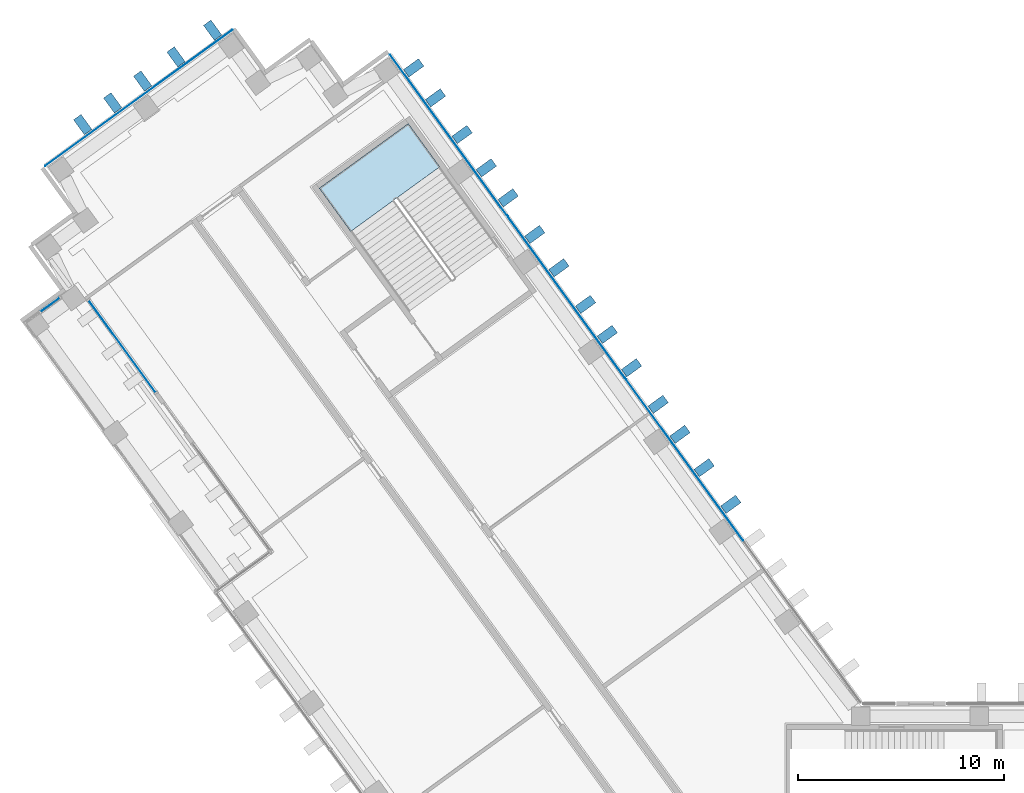
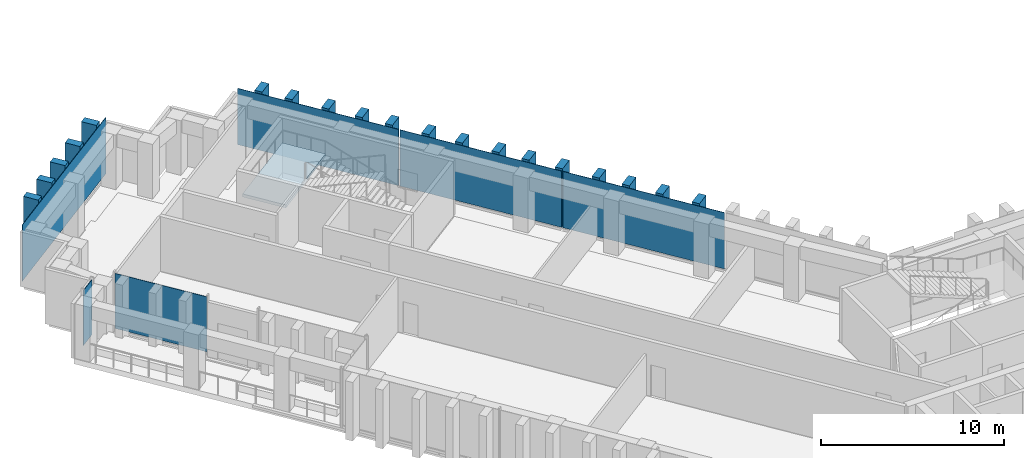
"""IFC4 building model written with IfcOpenShell, lengths in metres."""

import ifcopenshell
import ifcopenshell.guid

model = None  # the IFC model being written
_history = None  # IfcOwnerHistory: only IFC2X3 demands one
_inside = {}  # id of a spatial element -> (the spatial element, [elements in it])
_under = {}  # id of a project, library or spatial element -> (it, [spatial elements below it])
_declared = {}  # id of a project -> (the project, [libraries it declares])
_typed = {}  # id of a type object -> (the type object, [elements of that type])
_made_of = {}  # id of a material, layer set ... -> (it, [elements and type objects made of it])


def new_model(schema):
    """Start an empty IFC model of exactly this schema.

    Asked for "IFC4X3", IfcOpenShell would pick the latest addendum, in which some entities
    have other attributes; the version numbers below select the first issue.
    IFC2X3 requires an IfcOwnerHistory on every rooted entity: one is made here for all.
    """
    global model, _history
    if schema == "IFC4X3":
        model = ifcopenshell.file(schema_version=(4, 3, 0, 0))
    else:
        model = ifcopenshell.file(schema=schema)
    _inside.clear()
    _under.clear()
    _declared.clear()
    _typed.clear()
    _made_of.clear()
    _history = None
    if model.schema == "IFC2X3":
        org = make("IfcOrganization", Name="unknown")
        user = make(
            "IfcPersonAndOrganization",
            ThePerson=make("IfcPerson", FamilyName="unknown"),
            TheOrganization=org,
        )
        app = make(
            "IfcApplication",
            ApplicationDeveloper=org,
            Version="unknown",
            ApplicationFullName="unknown",
            ApplicationIdentifier="unknown",
        )
        _history = make(
            "IfcOwnerHistory",
            OwningUser=user,
            OwningApplication=app,
            ChangeAction="ADDED",
            CreationDate=0,
        )
    return model


def make(cls, **values):
    """One entity of the class cls with the attributes given. An attribute that is None is left unset."""
    return model.create_entity(
        cls, **{name: value for name, value in values.items() if value is not None}
    )


def rooted(cls, **values):
    """An entity with a GlobalId (a new one), such as an element, a storey or a relation."""
    return make(cls, GlobalId=ifcopenshell.guid.new(), OwnerHistory=_history, **values)


def si_unit(unit_type, name, prefix=None):
    """IfcSIUnit, for example si_unit("LENGTHUNIT", "METRE", prefix="MILLI")."""
    return make("IfcSIUnit", UnitType=unit_type, Prefix=prefix, Name=name)


def assignment(units):
    """IfcUnitAssignment: the units of a project."""
    return None if units is None else make("IfcUnitAssignment", Units=units)


def point(xyz):
    """IfcCartesianPoint."""
    return None if xyz is None else make("IfcCartesianPoint", Coordinates=xyz)


def direction(xyz):
    """IfcDirection."""
    return None if xyz is None else make("IfcDirection", DirectionRatios=xyz)


def frame(location, z_axis=None, x_axis=None):
    """IfcAxis2Placement3D, a coordinate frame: its origin and axes. An axis left out is left unset."""
    return make(
        "IfcAxis2Placement3D",
        Location=point(location),
        Axis=direction(z_axis),
        RefDirection=direction(x_axis),
    )


def frame_2d(location, x_axis=None):
    """IfcAxis2Placement2D, a coordinate frame in the plane: its origin and x axis."""
    return make(
        "IfcAxis2Placement2D", Location=point(location), RefDirection=direction(x_axis)
    )


def origin():
    """The frame at (0, 0, 0) with its axes left unset."""
    return frame((0.0, 0.0, 0.0))


def origin_2d():
    """The frame at (0, 0) in the plane with its x axis left unset."""
    return frame_2d((0.0, 0.0))


def place(relative_to, where):
    """IfcLocalPlacement: puts the frame where relative to a parent placement (None: the world)."""
    return make(
        "IfcLocalPlacement", PlacementRelTo=relative_to, RelativePlacement=where
    )


def context(
    kind, dimensions, precision=None, world=None, true_north=None, identifier=None
):
    """IfcGeometricRepresentationContext, for example the 3D "Model" context."""
    return make(
        "IfcGeometricRepresentationContext",
        ContextIdentifier=identifier,
        ContextType=kind,
        CoordinateSpaceDimension=dimensions,
        Precision=precision,
        WorldCoordinateSystem=world,
        TrueNorth=true_north,
    )


def subcontext(parent, identifier, kind, view, scale=None):
    """IfcGeometricRepresentationSubContext, for example "Body" below "Model"."""
    return make(
        "IfcGeometricRepresentationSubContext",
        ContextIdentifier=identifier,
        ContextType=kind,
        ParentContext=parent,
        TargetScale=scale,
        TargetView=view,
    )


def project(units=None, contexts=None):
    """IfcProject with its units and contexts."""
    return rooted(
        "IfcProject",
        Name="project",
        RepresentationContexts=contexts,
        UnitsInContext=assignment(units),
    )


def spatial(cls, under=None, at=None, **own):
    """A site, building, storey or space (cls), placed at a placement, below another one or the project."""
    s = rooted(cls, ObjectPlacement=at, **own)
    if under is not None:
        _under.setdefault(under.id(), (under, []))[1].append(s)
    return s


def polyline(points):
    """IfcPolyline through the points."""
    return make("IfcPolyline", Points=[point(p) for p in points])


def profile(cls, at=None, kind="AREA", **sizes):
    """A parametric profile (cls). Its sizes go by their IFC names, for example OverallWidth=200.0."""
    return make(cls, ProfileType=kind, Position=at, **sizes)


def rectangle(**sizes):
    """IfcRectangleProfileDef."""
    return profile("IfcRectangleProfileDef", **sizes)


def outline(outer, holes=None, kind="AREA"):
    """IfcArbitraryClosedProfileDef: a profile drawn as a closed curve; with holes, ...WithVoids."""
    if holes is None:
        return make("IfcArbitraryClosedProfileDef", ProfileType=kind, OuterCurve=outer)
    return make(
        "IfcArbitraryProfileDefWithVoids",
        ProfileType=kind,
        OuterCurve=outer,
        InnerCurves=holes,
    )


def extrude(swept, where, along, depth):
    """IfcExtrudedAreaSolid: the profile swept, set in the frame where, extruded along a direction by depth."""
    return make(
        "IfcExtrudedAreaSolid",
        SweptArea=swept,
        Position=where,
        ExtrudedDirection=direction(along),
        Depth=depth,
    )


def shape(context_of_items, identifier, shape_type, items):
    """IfcShapeRepresentation: the items that make up one representation, for example the "Body"."""
    return make(
        "IfcShapeRepresentation",
        ContextOfItems=context_of_items,
        RepresentationIdentifier=identifier,
        RepresentationType=shape_type,
        Items=items,
    )


def material(Name=None, Category=None):
    """IfcMaterial."""
    return make("IfcMaterial", Name=Name, Category=Category)


def layer(
    of_material, thickness, ventilated=None, Name=None, Category=None, Priority=None
):
    """IfcMaterialLayer: one layer of a wall or slab, of a material (None: an air gap)."""
    return make(
        "IfcMaterialLayer",
        Material=of_material,
        LayerThickness=thickness,
        IsVentilated=ventilated,
        Name=Name,
        Category=Category,
        Priority=Priority,
    )


def layer_set(layers, Name=None):
    """IfcMaterialLayerSet."""
    return make("IfcMaterialLayerSet", MaterialLayers=layers, LayerSetName=Name)


def made_of(thing, what):
    """Note that an element or type object is made of a material, layer set ...; save() writes the relation."""
    if what is not None:
        _made_of.setdefault(what.id(), (what, []))[1].append(thing)
    return thing


def type_object(cls, material=None, **own):
    """A type object (cls), such as IfcWallType, which elements share."""
    return made_of(rooted(cls, **own), material)


def element(
    cls,
    number,
    at=None,
    inside=None,
    cuts=None,
    type_object=None,
    material=None,
    context=None,
    identifier="Body",
    shape_type=None,
    held_by="IfcProductDefinitionShape",
    body=None,
    shapes=None,
    **own,
):
    """One element of the class cls, such as IfcWall. Its Tag is "e" and its number.

    at: its placement. inside: the storey or other place that contains it. cuts: it is an
    opening in that element (IfcRelVoidsElement). A single representation is given by context,
    identifier, shape_type and body (its items); several are given by shapes. held_by: the class
    of the entity that holds the representations. save() writes the other relations.
    """
    e = rooted(cls, Tag="e%d" % number, ObjectPlacement=at, **own)
    if body is not None:
        shapes = [shape(context, identifier, shape_type, body)]
    if shapes is not None:
        e.Representation = make(held_by, Representations=shapes)
    if inside is not None:
        _inside.setdefault(inside.id(), (inside, []))[1].append(e)
    if cuts is not None:
        rooted(
            "IfcRelVoidsElement", RelatingBuildingElement=cuts, RelatedOpeningElement=e
        )
    if type_object is not None:
        _typed.setdefault(type_object.id(), (type_object, []))[1].append(e)
    return made_of(e, material)


def aggregate(whole, parts):
    """IfcRelAggregates: a whole, such as a stair, and the parts it consists of."""
    return rooted("IfcRelAggregates", RelatingObject=whole, RelatedObjects=parts)


def save(model, path):
    """Write the relations noted so far, then the file.

    IfcRelAggregates (storeys below a building ...), IfcRelContainedInSpatialStructure (elements
    in a storey), IfcRelDefinesByType, IfcRelAssociatesMaterial and IfcRelDeclares: one each for
    every whole, place, type object, material and project.
    """
    for whole, parts in _under.values():
        aggregate(whole, parts)
    for where, things in _inside.values():
        rooted(
            "IfcRelContainedInSpatialStructure",
            RelatedElements=things,
            RelatingStructure=where,
        )
    for kind, things in _typed.values():
        rooted("IfcRelDefinesByType", RelatedObjects=things, RelatingType=kind)
    for what, things in _made_of.values():
        rooted("IfcRelAssociatesMaterial", RelatedObjects=things, RelatingMaterial=what)
    for by, libraries in _declared.values():
        rooted("IfcRelDeclares", RelatingContext=by, RelatedDefinitions=libraries)
    model.write(path)


model = new_model("IFC4")

# Units and contexts
model_context = context("Model", 3, precision=1e-05, world=origin(), true_north=direction((0.0, 1.0)))
body_context = subcontext(model_context, "Body", "Model", "MODEL_VIEW")
ifc_project = project(units=[si_unit("LENGTHUNIT", "METRE"), si_unit("AREAUNIT", "SQUARE_METRE"), si_unit("VOLUMEUNIT", "CUBIC_METRE"), si_unit("PLANEANGLEUNIT", "RADIAN"), si_unit("MASSUNIT", "GRAM", prefix="KILO")], contexts=[model_context])

# Site, building, storey
site_placement = place(None, origin())
site = spatial("IfcSite", under=ifc_project, at=site_placement, CompositionType="ELEMENT")
building_placement = place(site_placement, origin())
building = spatial("IfcBuilding", under=site, at=building_placement, Name="Quipu Civic Tower", CompositionType="ELEMENT")
storey_1_placement = place(building_placement, frame((0.0, 0.0, 35.0)))
storey_1 = spatial("IfcBuildingStorey", under=building, at=storey_1_placement, Name="L07", CompositionType="ELEMENT", Elevation=35.0)

# Curtain wall
ifc_material_1 = material(Name="Insulated glass unit", Category="glass")
curtain_wall_type = type_object("IfcCurtainWallType", Name="Office curtain wall CW1", PredefinedType="NOTDEFINED", material=ifc_material_1)
curtain_wall_1_placement = place(storey_1_placement, origin())
curtain_wall_1 = element("IfcCurtainWall", 1, at=curtain_wall_1_placement, inside=storey_1, type_object=curtain_wall_type, Name="Office curtain wall CW1 L06 run 32", PredefinedType="NOTDEFINED")

# Storey
storey_2_placement = place(building_placement, frame((0.0, 0.0, 39.0)))
storey_2 = spatial("IfcBuildingStorey", under=building, at=storey_2_placement, Name="L08", CompositionType="ELEMENT", Elevation=39.0)

# Plate
ifc_material_2 = material(Name="Insulated glass unit", Category="glass")
ifc_layer_1 = layer(ifc_material_2, 0.028076171875)
ifc_layer_set_1 = layer_set([ifc_layer_1], Name="Insulated glass unit")
plate_type_1 = type_object("IfcPlateType", Name="Glass panel CW1", PredefinedType="CURTAIN_PANEL", material=ifc_layer_set_1)
plate_1_placement = place(storey_2_placement, frame((-22.950439453125, 22.9453125, 0.16015625), z_axis=(0.0, 0.0, 1.0), x_axis=(-0.587785887566, 0.809016532822, 0.0)))
plate_1 = element("IfcPlate", 2, at=plate_1_placement, inside=storey_2, type_object=plate_type_1, Name="CW1 panel 2.3", PredefinedType="CURTAIN_PANEL", context=body_context, shape_type="SweptSolid", body=[
    extrude(rectangle(XDim=9.68115234375, YDim=0.028076171875, at=origin_2d()), origin(), (0.0, 0.0, 1.0), 3.760009765625),
])

plate_2_placement = place(storey_2_placement, frame((-28.687744140625, 30.84228515625, 0.16015625), z_axis=(0.0, 0.0, 1.0), x_axis=(-0.587785887566, 0.809016532822, 0.0)))
plate_2 = element("IfcPlate", 3, at=plate_2_placement, inside=storey_2, type_object=plate_type_1, Name="CW1 panel 3.3", PredefinedType="CURTAIN_PANEL", context=body_context, shape_type="SweptSolid", body=[
    extrude(rectangle(XDim=9.68115234375, YDim=0.028076171875, at=origin_2d()), origin(), (0.0, 0.0, 1.0), 3.760009765625),
])

plate_3_placement = place(storey_2_placement, frame((-34.413330078125, 38.722900390625, 0.16015625), z_axis=(0.0, 0.0, 1.0), x_axis=(-0.587785887566, 0.809016532822, 0.0)))
plate_3 = element("IfcPlate", 4, at=plate_3_placement, inside=storey_2, type_object=plate_type_1, Name="CW1 panel 4.3", PredefinedType="CURTAIN_PANEL", context=body_context, shape_type="SweptSolid", body=[
    extrude(rectangle(XDim=9.64111328125, YDim=0.028076171875, at=origin_2d()), origin(), (0.0, 0.0, 1.0), 3.760009765625),
])

aggregate(curtain_wall_1, [plate_1, plate_2, plate_3])

# Curtain wall, plate
curtain_wall_2_placement = place(storey_1_placement, origin())
curtain_wall_2 = element("IfcCurtainWall", 5, at=curtain_wall_2_placement, inside=storey_1, type_object=curtain_wall_type, Name="Office curtain wall CW1 L06 run 37", PredefinedType="NOTDEFINED")
plate_4_placement = place(storey_2_placement, frame((-49.447998046875, 40.53173828125, 0.16015625), z_axis=(0.0, 0.0, 1.0), x_axis=(-0.809019348124, -0.587782012621, 0.0)))
plate_4 = element("IfcPlate", 6, at=plate_4_placement, inside=storey_2, type_object=plate_type_1, Name="CW1 panel 1.3", PredefinedType="CURTAIN_PANEL", context=body_context, shape_type="SweptSolid", body=[
    extrude(rectangle(XDim=11.239990234375, YDim=0.028076171875, at=origin_2d()), origin(), (0.0, 0.0, 1.0), 3.760009765625),
])
aggregate(curtain_wall_2, [plate_4])

curtain_wall_3_placement = place(storey_2_placement, origin())
curtain_wall_3 = element("IfcCurtainWall", 7, at=curtain_wall_3_placement, inside=storey_2, type_object=curtain_wall_type, Name="Office curtain wall CW1 L08 run 1", PredefinedType="NOTDEFINED")
plate_5_placement = place(storey_2_placement, frame((-53.760986328125, 30.476318359375, 0.240234375), z_axis=(0.0, 0.0, 1.0), x_axis=(0.809018741689, 0.587782847313, 0.0)))
plate_5 = element("IfcPlate", 8, at=plate_5_placement, type_object=plate_type_1, Name="CW1 panel 1.1", PredefinedType="CURTAIN_PANEL", context=body_context, shape_type="SweptSolid", body=[
    extrude(rectangle(XDim=1.139892578125, YDim=0.028076171875, at=origin_2d()), origin(), (0.0, 0.0, 1.0), 3.679931640625),
])
aggregate(curtain_wall_3, [plate_5])

curtain_wall_4_placement = place(storey_2_placement, origin())
curtain_wall_4 = element("IfcCurtainWall", 9, at=curtain_wall_4_placement, inside=storey_2, type_object=curtain_wall_type, Name="Office curtain wall CW1 L08 run 2", PredefinedType="NOTDEFINED")
plate_6_placement = place(storey_2_placement, frame((-50.2666015625, 28.461181640625, 0.240234375), z_axis=(0.0, 0.0, 1.0), x_axis=(0.587783560869, -0.809018223263, 0.0)))
plate_6 = element("IfcPlate", 10, at=plate_6_placement, type_object=plate_type_1, Name="CW1 panel 1.1", PredefinedType="CURTAIN_PANEL", context=body_context, shape_type="SweptSolid", body=[
    extrude(rectangle(XDim=5.509033203125, YDim=0.028076171875, at=origin_2d()), origin(), (0.0, 0.0, 1.0), 3.679931640625),
])
aggregate(curtain_wall_4, [plate_6])

# Plates
ifc_material_3 = material(Name="Precast concrete C40/50", Category="concrete")
plate_type_2 = type_object("IfcPlateType", Name="Precast fin F1", PredefinedType="SHEET", material=ifc_material_3)
for number, where, z_axis, x_axis, name in (
    (11, (-20.702392578125, 20.786865234375, 0.080078125), (0.0, 0.0, 1.0), (-0.587784944053, 0.809017218324, 0.0), "Precast fin F1 L08.P29.6"),
    (12, (-21.995361328125, 22.566650390625, 0.080078125), (0.0, 0.0, 1.0), (-0.587784944053, 0.809017218324, 0.0), "Precast fin F1 L08.P29.7"),
    (13, (-23.171142578125, 24.184814453125, 0.080078125), (0.0, 0.0, 1.0), (-0.587784944053, 0.809017218324, 0.0), "Precast fin F1 L08.P29.8"),
    (14, (-24.22900390625, 25.640869140625, 0.080078125), (0.0, 0.0, 1.0), (-0.587784944053, 0.809017218324, 0.0), "Precast fin F1 L08.P29.9"),
    (15, (-25.522216796875, 27.4208984375, 0.080078125), (0.0, 0.0, 1.0), (-0.587784944053, 0.809017218324, 0.0), "Precast fin F1 L08.P29.10"),
    (16, (-26.69775390625, 29.038818359375, 0.080078125), (0.0, 0.0, 1.0), (-0.587784944053, 0.809017218324, 0.0), "Precast fin F1 L08.P29.11"),
    (17, (-27.755859375, 30.4951171875, 0.080078125), (0.0, 0.0, 1.0), (-0.587784944053, 0.809017218324, 0.0), "Precast fin F1 L08.P29.12"),
    (18, (-29.048828125, 32.27490234375, 0.080078125), (0.0, 0.0, 1.0), (-0.587784944053, 0.809017218324, 0.0), "Precast fin F1 L08.P29.13"),
    (19, (-30.224365234375, 33.89306640625, 0.080078125), (0.0, 0.0, 1.0), (-0.587784944053, 0.809017218324, 0.0), "Precast fin F1 L08.P29.14"),
    (20, (-31.517578125, 35.6728515625, 0.080078125), (0.0, 0.0, 1.0), (-0.587784944053, 0.809017218324, 0.0), "Precast fin F1 L08.P29.15"),
    (21, (-32.57568359375, 37.129150390625, 0.080078125), (0.0, 0.0, 1.0), (-0.587784944053, 0.809017218324, 0.0), "Precast fin F1 L08.P29.16"),
    (22, (-33.751220703125, 38.7470703125, 0.080078125), (0.0, 0.0, 1.0), (-0.587784944053, 0.809017218324, 0.0), "Precast fin F1 L08.P29.17"),
    (23, (-35.044189453125, 40.52685546875, 0.080078125), (0.0, 0.0, 1.0), (-0.587784944053, 0.809017218324, 0.0), "Precast fin F1 L08.P29.18"),
    (24, (-36.102294921875, 41.983154296875, 0.080078125), (0.0, 0.0, 1.0), (-0.587784944053, 0.809017218324, 0.0), "Precast fin F1 L08.P29.19"),
    (25, (-45.867919921875, 43.812744140625, 0.080078125), (0.0, 0.0, 1.0), (-0.809021318545, -0.587779300537, 0.0), "Precast fin F1 L08.P34.1"),
    (26, (-47.647705078125, 42.51953125, 0.080078125), (0.0, 0.0, 1.0), (-0.809021318545, -0.587779300537, 0.0), "Precast fin F1 L08.P34.2"),
    (27, (-49.265625, 41.343994140625, 0.080078125), (0.0, 0.0, 1.0), (-0.809021318545, -0.587779300537, 0.0), "Precast fin F1 L08.P34.3"),
    (28, (-50.721923828125, 40.2861328125, 0.080078125), (0.0, 0.0, 1.0), (-0.809021318545, -0.587779300537, 0.0), "Precast fin F1 L08.P34.4"),
    (29, (-52.17822265625, 39.22802734375, 0.080078125), (0.0, 0.0, 1.0), (-0.809021318545, -0.587779300537, 0.0), "Precast fin F1 L08.P34.5"),
):
    element("IfcPlate", number, at=place(storey_2_placement, frame(where, z_axis=z_axis, x_axis=x_axis)), inside=storey_2, type_object=plate_type_2, Name=name, PredefinedType="SHEET", context=body_context, shape_type="SweptSolid", body=[
        extrude(rectangle(XDim=0.449951171875, YDim=0.89990234375, at=origin_2d()), origin(), (0.0, 0.0, 1.0), 3.919921875),
    ])

# Stair, slab
ifc_material_4 = material(Name="Concrete C40/50", Category="concrete")
stair_type = type_object("IfcStairType", Name="Half turn stair 2600", PredefinedType="HALF_TURN_STAIR", material=ifc_material_4)
stair_placement = place(storey_2_placement, origin())
stair = element("IfcStair", 30, at=stair_placement, inside=storey_2, type_object=stair_type, Name="Exit stair 6", PredefinedType="HALF_TURN_STAIR")
ifc_material_5 = material(Name="Concrete C40/50", Category="concrete")
ifc_layer_2 = layer(ifc_material_5, 0.199951171875)
ifc_layer_set_2 = layer_set([ifc_layer_2], Name="Concrete C40/50")
slab_type = type_object("IfcSlabType", Name="Stair landing 200", PredefinedType="LANDING", material=ifc_layer_set_2)
slab_placement = place(storey_2_placement, frame((0.0, 0.0, 1.800048828125)))
slab = element("IfcSlab", 31, at=slab_placement, type_object=slab_type, Name="ST-6 landing 1", PredefinedType="LANDING", context=body_context, shape_type="SweptSolid", body=[
    extrude(outline(polyline([(-34.837158203125, 37.179443359375), (-36.365478515625, 39.282958984375), (-40.69384765625, 36.138427734375), (-39.16552734375, 34.034912109375), (-34.837158203125, 37.179443359375)])), origin(), (0.0, 0.0, 1.0), 0.199951171875),
])
aggregate(stair, [slab])

save(model, "model.ifc")
